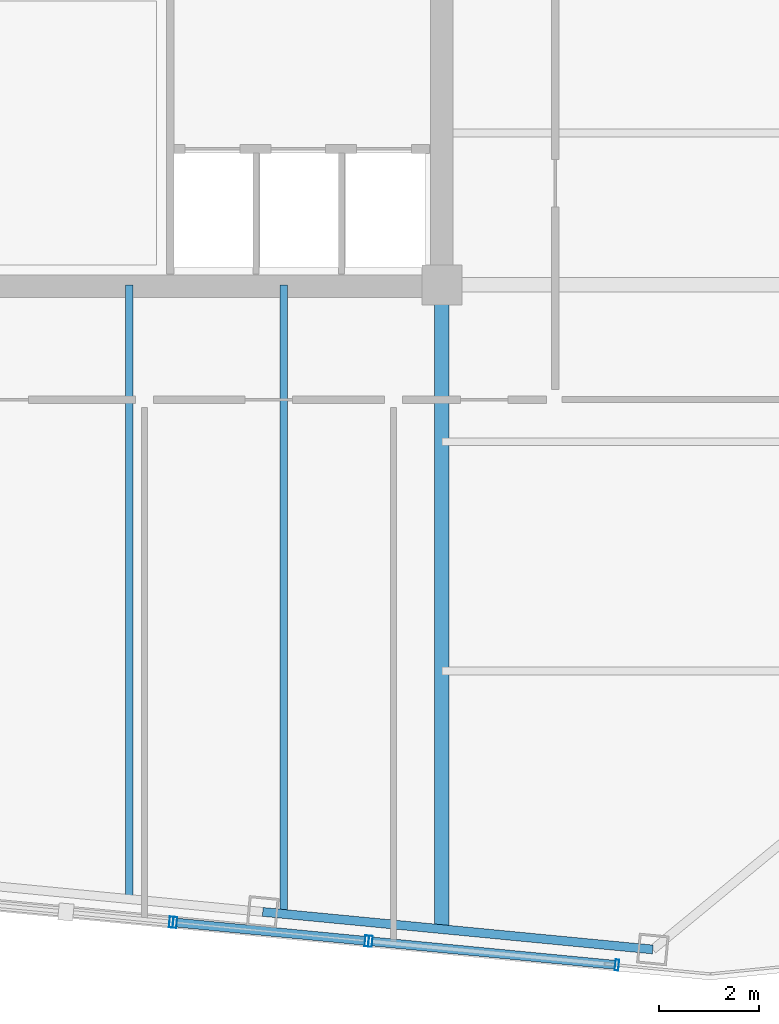
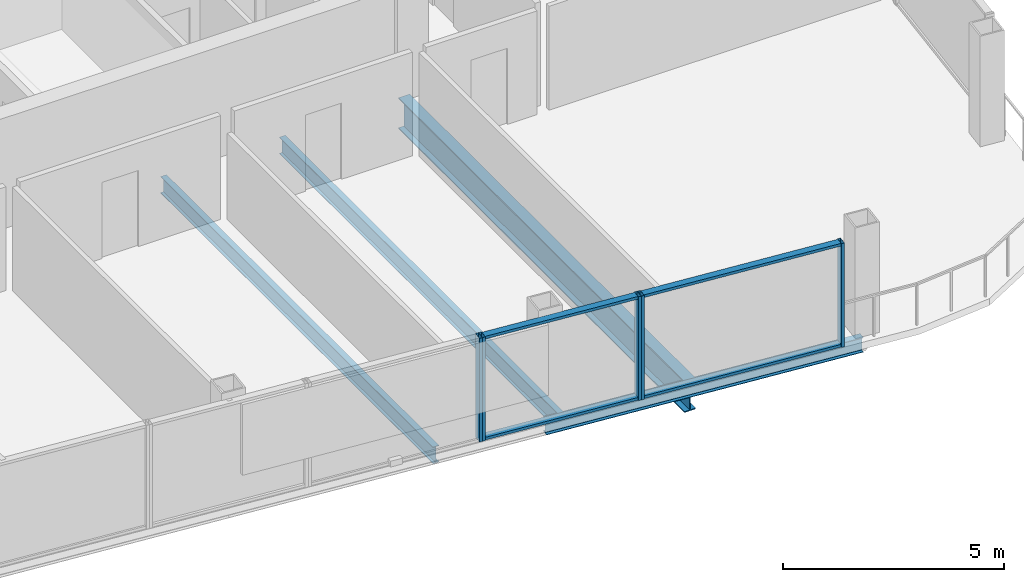
# One storey, part 5 of 22: 9 members, 4 beams, 3 elements without a shape of their own.
"""IFC4 building model written with IfcOpenShell, lengths in metres."""

from ifc_helpers import new_model, si_unit, direction, frame, origin, origin_2d, place, context, subcontext, project, spatial, hollow_rectangle, i_section, extrude, material, layer, layer_set, material_profile, profile_set, type_object, element, aggregate, save


model = new_model("IFC4")

# Units and contexts
model_context = context("Model", 3, precision=1e-05, world=origin(), true_north=direction((0.0, 1.0)))
body_context = subcontext(model_context, "Body", "Model", "MODEL_VIEW")
ifc_project = project(units=[si_unit("LENGTHUNIT", "METRE"), si_unit("AREAUNIT", "SQUARE_METRE"), si_unit("VOLUMEUNIT", "CUBIC_METRE"), si_unit("PLANEANGLEUNIT", "RADIAN"), si_unit("MASSUNIT", "GRAM", prefix="KILO")], contexts=[model_context])

# Site, building, storey
site_placement = place(None, origin())
site = spatial("IfcSite", under=ifc_project, at=site_placement, CompositionType="ELEMENT")
building_placement = place(site_placement, origin())
building = spatial("IfcBuilding", under=site, at=building_placement, Name="Qhalaya Broadcast Tower", CompositionType="ELEMENT")
storey_placement = place(building_placement, frame((0.0, 0.0, 252.0)))
storey = spatial("IfcBuildingStorey", under=building, at=storey_placement, Name="L74", CompositionType="ELEMENT", Elevation=252.0)

# Beams
ifc_material_1 = material(Name="Structural Steel ASTM A992 Grade 50", Category="steel")
ifc_material_profile_1 = material_profile(ifc_material_1, i_section(OverallWidth=0.154052734375, OverallDepth=0.458984375, WebThickness=0.009033203125, FlangeThickness=0.015380859375, at=origin_2d()), Name="W18X46")
ifc_profile_set_1 = profile_set([ifc_material_profile_1], Name="Structural Steel ASTM A992 Grade 50")
beam_type_1 = type_object("IfcBeamType", Name="Composite Floor Joist J04", PredefinedType="JOIST", material=ifc_profile_set_1)
beam_1_placement = place(storey_placement, frame((3.10009765625, -21.058349609375, -0.41943359375), z_axis=(0.0, 1.0, 0.0), x_axis=(-1.0, 0.0, 0.0)))
element("IfcBeam", 1, at=beam_1_placement, inside=storey, type_object=beam_type_1, Name="L74 J04 L74-JNS4-1", PredefinedType="JOIST", context=body_context, shape_type="SweptSolid", body=[
    extrude(i_section(OverallWidth=0.154052734375, OverallDepth=0.458984375, WebThickness=0.009033203125, FlangeThickness=0.015380859375, at=origin_2d()), origin(), (0.0, 0.0, 1.0), 12.308349609375),
])
beam_2_placement = place(storey_placement, frame((6.199951171875, -21.35693359375, -0.41943359375), z_axis=(0.0, 1.0, 0.0), x_axis=(-1.0, 0.0, 0.0)))
element("IfcBeam", 2, at=beam_2_placement, inside=storey, type_object=beam_type_1, Name="L74 J04 L74-JNS5-1", PredefinedType="JOIST", context=body_context, shape_type="SweptSolid", body=[
    extrude(i_section(OverallWidth=0.154052734375, OverallDepth=0.458984375, WebThickness=0.009033203125, FlangeThickness=0.015380859375, at=origin_2d()), origin(), (0.0, 0.0, 1.0), 12.60693359375),
])

# Curtain wall, member
ifc_material_2 = material(Name="Fired Architectural Terracotta", Category="masonry")
ifc_layer_1 = layer(ifc_material_2, 0.219970703125, Name="Fired Architectural Terracotta")
ifc_layer_set_1 = layer_set([ifc_layer_1], Name="Fired Architectural Terracotta")
curtain_wall_type_1 = type_object("IfcCurtainWallType", Name="Block-Cap Unitised Terracotta Spandrel Wall CW-07", PredefinedType="NOTDEFINED", material=ifc_layer_set_1)
curtain_wall_1_placement = place(storey_placement, origin())
curtain_wall_1 = element("IfcCurtainWall", 3, at=curtain_wall_1_placement, inside=storey, type_object=curtain_wall_type_1, Name="L74 Unitised Curtain Wall L74-CW-S3", PredefinedType="NOTDEFINED")
ifc_material_3 = material(Name="Anodised Aluminium 6063-T6", Category="aluminium")
ifc_material_profile_2 = material_profile(ifc_material_3, hollow_rectangle(XDim=0.074951171875, YDim=0.219970703125, WallThickness=0.00390625, at=origin_2d()), Name="ALU-MUL 75x220x4")
ifc_profile_set_2 = profile_set([ifc_material_profile_2], Name="Anodised Aluminium 6063-T6")
member_type_1 = type_object("IfcMemberType", Name="Unitised Curtain-Wall Mullion M01", PredefinedType="MULLION", material=ifc_profile_set_2)
member_1_placement = place(storey_placement, frame((3.94091796875, -21.541259765625, 0.0), z_axis=(0.0, 0.0, 1.0), x_axis=(0.995397029971, -0.095837115594, 0.0)))
member_1 = element("IfcMember", 4, at=member_1_placement, type_object=member_type_1, Name="CW-07 mullion 2", PredefinedType="MULLION", context=body_context, shape_type="SweptSolid", body=[
    extrude(hollow_rectangle(XDim=0.074951171875, YDim=0.219970703125, WallThickness=0.00390625, at=origin_2d()), origin(), (0.0, 0.0, 1.0), 2.860107421875),
])
aggregate(curtain_wall_1, [member_1])

# Curtain wall, members
ifc_material_4 = material(Name="Solar-Control Low-E Triple Glazing", Category="glass")
ifc_layer_2 = layer(ifc_material_4, 0.219970703125, Name="Solar-Control Low-E Triple Glazing")
ifc_layer_set_2 = layer_set([ifc_layer_2], Name="Solar-Control Low-E Triple Glazing")
curtain_wall_type_2 = type_object("IfcCurtainWallType", Name="High-Altitude Upper-Shaft Triple Low-E Curtain Wall CW-04", PredefinedType="NOTDEFINED", material=ifc_layer_set_2)
curtain_wall_2_placement = place(storey_placement, origin())
curtain_wall_2 = element("IfcCurtainWall", 5, at=curtain_wall_2_placement, inside=storey, type_object=curtain_wall_type_2, Name="L74 Unitised Curtain Wall L74-CW-S4", PredefinedType="NOTDEFINED")
member_2_placement = place(storey_placement, frame((4.015625, -21.548583984375, 0.0), z_axis=(0.0, 0.0, 1.0), x_axis=(0.995394380747, -0.095864627352, 0.0)))
member_2 = element("IfcMember", 6, at=member_2_placement, type_object=member_type_1, Name="CW-04 mullion 1", PredefinedType="MULLION", context=body_context, shape_type="SweptSolid", body=[
    extrude(hollow_rectangle(XDim=0.074951171875, YDim=0.219970703125, WallThickness=0.00390625, at=origin_2d()), origin(), (0.0, 0.0, 1.0), 2.860107421875),
])
member_3_placement = place(storey_placement, frame((7.865966796875, -21.919189453125, 0.0), z_axis=(0.0, 0.0, 1.0), x_axis=(0.995394380747, -0.095864627352, 0.0)))
member_3 = element("IfcMember", 7, at=member_3_placement, type_object=member_type_1, Name="CW-04 mullion 2", PredefinedType="MULLION", context=body_context, shape_type="SweptSolid", body=[
    extrude(hollow_rectangle(XDim=0.074951171875, YDim=0.219970703125, WallThickness=0.00390625, at=origin_2d()), origin(), (0.0, 0.0, 1.0), 2.860107421875),
])

curtain_wall_3_placement = place(storey_placement, origin())
curtain_wall_3 = element("IfcCurtainWall", 8, at=curtain_wall_3_placement, inside=storey, type_object=curtain_wall_type_1, Name="L74 Unitised Curtain Wall L74-CW-S5", PredefinedType="NOTDEFINED")
member_4_placement = place(storey_placement, frame((7.9404296875, -21.926513671875, 0.0), z_axis=(0.0, 0.0, 1.0), x_axis=(0.995396854807, -0.095838934889, 0.0)))
member_4 = element("IfcMember", 9, at=member_4_placement, type_object=member_type_1, Name="CW-07 mullion 1", PredefinedType="MULLION", context=body_context, shape_type="SweptSolid", body=[
    extrude(hollow_rectangle(XDim=0.074951171875, YDim=0.219970703125, WallThickness=0.00390625, at=origin_2d()), origin(), (0.0, 0.0, 1.0), 2.860107421875),
])
member_5_placement = place(storey_placement, frame((12.887451171875, -22.40283203125, 0.0), z_axis=(0.0, 0.0, 1.0), x_axis=(0.995396854807, -0.095838934889, 0.0)))
member_5 = element("IfcMember", 10, at=member_5_placement, type_object=member_type_1, Name="CW-07 mullion 2", PredefinedType="MULLION", context=body_context, shape_type="SweptSolid", body=[
    extrude(hollow_rectangle(XDim=0.074951171875, YDim=0.219970703125, WallThickness=0.00390625, at=origin_2d()), origin(), (0.0, 0.0, 1.0), 2.860107421875),
])

# Member
ifc_material_profile_3 = material_profile(ifc_material_3, hollow_rectangle(XDim=0.074951171875, YDim=0.179931640625, WallThickness=0.00390625, at=origin_2d()), Name="ALU-TRN 75x180x4")
ifc_profile_set_3 = profile_set([ifc_material_profile_3], Name="Anodised Aluminium 6063-T6")
member_type_2 = type_object("IfcMemberType", Name="Unitised Curtain-Wall Transom T01", PredefinedType="USERDEFINED", material=ifc_profile_set_3)
member_6_placement = place(storey_placement, frame((4.052978515625, -21.552001953125, 0.03759765625), z_axis=(0.995390732395, -0.09590250186, 0.0), x_axis=(0.0, 0.0, 1.0)))
member_6 = element("IfcMember", 11, at=member_6_placement, type_object=member_type_2, Name="CW-04 transom 1.1", ObjectType="TRANSOM", PredefinedType="USERDEFINED", context=body_context, shape_type="SweptSolid", body=[
    extrude(hollow_rectangle(XDim=0.074951171875, YDim=0.179931640625, WallThickness=0.00390625, at=origin_2d()), origin(), (0.0, 0.0, 1.0), 3.793212890625),
])

member_7_placement = place(storey_placement, frame((4.052978515625, -21.552001953125, 2.822509765625), z_axis=(0.995390732395, -0.09590250186, 0.0), x_axis=(0.0, 0.0, 1.0)))
member_7 = element("IfcMember", 12, at=member_7_placement, type_object=member_type_2, Name="CW-04 transom 1.2", ObjectType="TRANSOM", PredefinedType="USERDEFINED", context=body_context, shape_type="SweptSolid", body=[
    extrude(hollow_rectangle(XDim=0.074951171875, YDim=0.179931640625, WallThickness=0.00390625, at=origin_2d()), origin(), (0.0, 0.0, 1.0), 3.793212890625),
])

aggregate(curtain_wall_2, [member_2, member_3, member_6, member_7])

member_8_placement = place(storey_placement, frame((7.977783203125, -21.93017578125, 0.03759765625), z_axis=(0.99539970371, -0.095809341158, 0.0), x_axis=(0.0, 0.0, 1.0)))
member_8 = element("IfcMember", 13, at=member_8_placement, type_object=member_type_2, Name="CW-07 transom 1.1", ObjectType="TRANSOM", PredefinedType="USERDEFINED", context=body_context, shape_type="SweptSolid", body=[
    extrude(hollow_rectangle(XDim=0.074951171875, YDim=0.179931640625, WallThickness=0.00390625, at=origin_2d()), origin(), (0.0, 0.0, 1.0), 4.89501953125),
])

member_9_placement = place(storey_placement, frame((7.977783203125, -21.93017578125, 2.822509765625), z_axis=(0.99539970371, -0.095809341158, 0.0), x_axis=(0.0, 0.0, 1.0)))
member_9 = element("IfcMember", 14, at=member_9_placement, type_object=member_type_2, Name="CW-07 transom 1.2", ObjectType="TRANSOM", PredefinedType="USERDEFINED", context=body_context, shape_type="SweptSolid", body=[
    extrude(hollow_rectangle(XDim=0.074951171875, YDim=0.179931640625, WallThickness=0.00390625, at=origin_2d()), origin(), (0.0, 0.0, 1.0), 4.89501953125),
])

aggregate(curtain_wall_3, [member_4, member_5, member_8, member_9])

# Beams
ifc_material_profile_4 = material_profile(ifc_material_1, i_section(OverallWidth=0.2919921875, OverallDepth=0.85888671875, WebThickness=0.01708984375, FlangeThickness=0.031005859375, at=origin_2d()), Name="W33X169")
ifc_profile_set_4 = profile_set([ifc_material_profile_4], Name="Structural Steel ASTM A992 Grade 50")
beam_type_2 = type_object("IfcBeamType", Name="Upper Block Primary Girder PG4", PredefinedType="USERDEFINED", material=ifc_profile_set_4)
beam_3_placement = place(storey_placement, frame((9.375, -21.66259765625, -0.619384765625), z_axis=(0.0, 1.0, 0.0), x_axis=(-1.0, 0.0, 0.0)))
element("IfcBeam", 15, at=beam_3_placement, inside=storey, type_object=beam_type_2, Name="L74 PG4 L74-PGXS2-1", ObjectType="GIRDER", PredefinedType="USERDEFINED", context=body_context, shape_type="SweptSolid", body=[
    extrude(i_section(OverallWidth=0.2919921875, OverallDepth=0.85888671875, WebThickness=0.01708984375, FlangeThickness=0.031005859375, at=origin_2d()), origin(), (0.0, 0.0, 1.0), 12.91259765625),
])
ifc_material_profile_5 = material_profile(ifc_material_1, i_section(OverallWidth=0.177978515625, OverallDepth=0.406005859375, WebThickness=0.0078125, FlangeThickness=0.0126953125, at=origin_2d()), Name="W16X40")
ifc_profile_set_5 = profile_set([ifc_material_profile_5], Name="Structural Steel ASTM A992 Grade 50")
beam_type_3 = type_object("IfcBeamType", Name="Upper Perimeter Spandrel Beam SP2", PredefinedType="SPANDREL", material=ifc_profile_set_5)
beam_4_placement = place(storey_placement, frame((5.77783203125, -21.33642578125, -0.39306640625), z_axis=(0.995397308407, -0.095834223619, 0.0), x_axis=(0.095834223619, 0.995397308407, 0.0)))
element("IfcBeam", 16, at=beam_4_placement, inside=storey, type_object=beam_type_3, Name="L74 SP2 L74-SPR-03", PredefinedType="SPANDREL", context=body_context, shape_type="SweptSolid", body=[
    extrude(i_section(OverallWidth=0.177978515625, OverallDepth=0.406005859375, WebThickness=0.0078125, FlangeThickness=0.0126953125, at=origin_2d()), origin(), (0.0, 0.0, 1.0), 7.86669921875),
])

save(model, "model.ifc")
